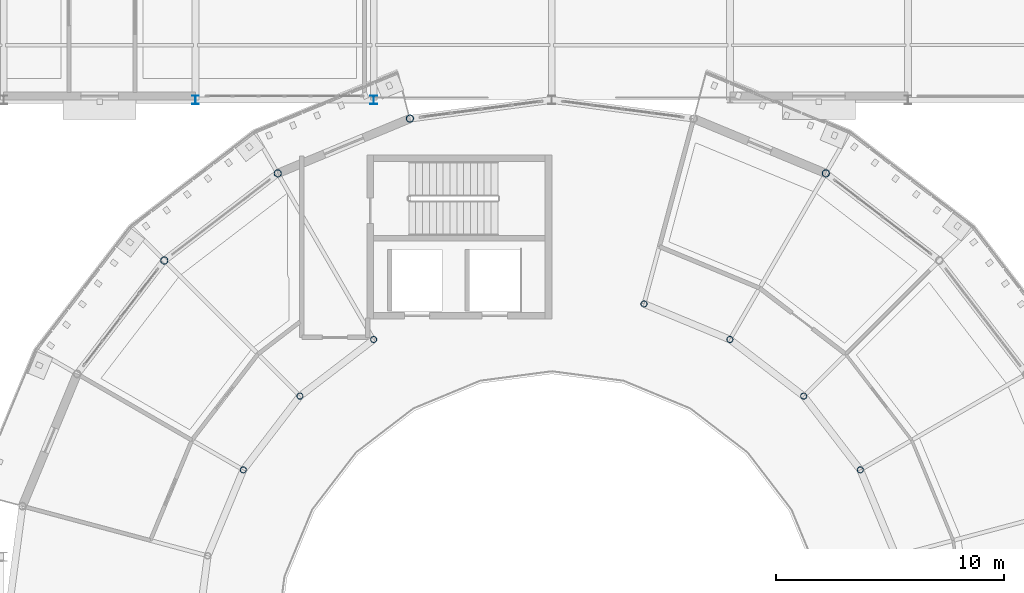
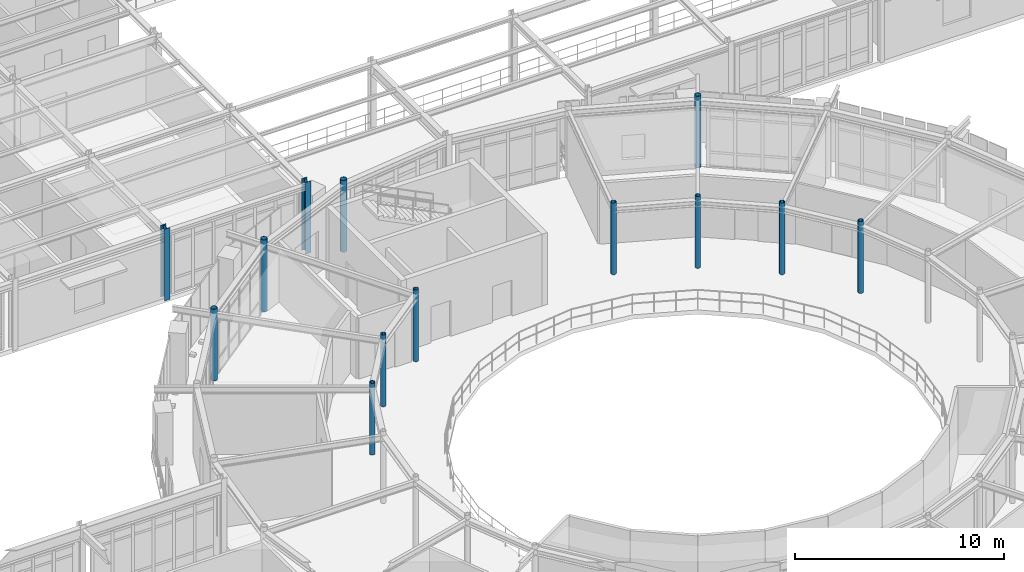
# One storey, part 16 of 90: 13 columns.
"""IFC4 building model written with IfcOpenShell, lengths in metres."""

from ifc_helpers import new_model, si_unit, derived_unit, direction, frame, origin, origin_2d, place, context, subcontext, project, spatial, hollow_circle, i_section, extrude, material, material_profile, profile_set, type_object, element, save


model = new_model("IFC4")

# Units and contexts
model_context = context("Model", 3, precision=1e-05, world=origin(), true_north=direction((0.0, 1.0)))
body_context = subcontext(model_context, "Body", "Model", "MODEL_VIEW")
ifc_project = project(units=[si_unit("LENGTHUNIT", "METRE"), si_unit("AREAUNIT", "SQUARE_METRE"), si_unit("VOLUMEUNIT", "CUBIC_METRE"), si_unit("PLANEANGLEUNIT", "RADIAN"), si_unit("MASSUNIT", "GRAM", prefix="KILO"), derived_unit("THERMALTRANSMITTANCEUNIT", [(si_unit("POWERUNIT", "WATT"), 1), (si_unit("AREAUNIT", "SQUARE_METRE"), -1), (si_unit("THERMODYNAMICTEMPERATUREUNIT", "KELVIN"), -1)])], contexts=[model_context])

# Site, building, storey
site_placement = place(None, origin())
site = spatial("IfcSite", under=ifc_project, at=site_placement, CompositionType="ELEMENT")
building_placement = place(site_placement, origin())
building = spatial("IfcBuilding", under=site, at=building_placement, Name="Yasenodar Specialist Clinic", CompositionType="ELEMENT")
storey_placement = place(building_placement, frame((0.0, 0.0, 9.0)))
storey = spatial("IfcBuildingStorey", under=building, at=storey_placement, Name="L02", CompositionType="ELEMENT", Elevation=9.0)

# Columns
ifc_material = material(Name="Steel S355", Category="steel")
ifc_material_profile_1 = material_profile(ifc_material, hollow_circle(Radius=0.136474609375, WallThickness=0.012451171875, at=origin_2d()), Name="CHS 273x12.5")
ifc_profile_set_1 = profile_set([ifc_material_profile_1], Name="Steel S355")
column_type_1 = type_object("IfcColumnType", Name="COL-ST-CHS273", PredefinedType="COLUMN", material=ifc_profile_set_1)
for number, where, z_axis, x_axis, name in (
    (1, (94.510009765625, 66.60009765625, 0.0), (0.0, 0.0, 1.0), (1.0, 0.0, 0.0), "L02 Drum V1 Inner Column 03"),
    (2, (92.031005859375, 69.830810546875, 0.0), (0.0, 0.0, 1.0), (1.0, 0.0, 0.0), "L02 Drum V1 Inner Column 04"),
    (3, (88.800048828125, 72.31005859375, 0.0), (0.0, 0.0, 1.0), (1.0, 0.0, 0.0), "L02 Drum V1 Inner Column 05"),
    (4, (85.03759765625, 73.868408203125, 0.0), (0.0, 0.0, 1.0), (1.0, 0.0, 0.0), "L02 Drum V1 Inner Column 06"),
    (5, (73.199951171875, 72.31005859375, 0.0), (0.0, 0.0, 1.0), (1.0, 0.0, 0.0), "L02 Drum V1 Inner Column 09"),
    (6, (69.968994140625, 69.830810546875, 0.0), (0.0, 0.0, 1.0), (1.0, 0.0, 0.0), "L02 Drum V1 Inner Column 10"),
    (7, (67.489990234375, 66.60009765625, 0.0), (0.0, 0.0, 1.0), (1.0, 0.0, 0.0), "L02 Drum V1 Inner Column 11"),
):
    element("IfcColumn", number, at=place(storey_placement, frame(where, z_axis=z_axis, x_axis=x_axis)), inside=storey, type_object=column_type_1, Name=name, PredefinedType="COLUMN", context=body_context, shape_type="SweptSolid", body=[
        extrude(hollow_circle(Radius=0.136474609375, WallThickness=0.012451171875, at=origin_2d()), origin(), (0.0, 0.0, 1.0), 4.199951171875),
    ])
ifc_material_profile_2 = material_profile(ifc_material, hollow_circle(Radius=0.161865234375, WallThickness=0.01611328125, at=origin_2d()), Name="CHS 323.9x16")
ifc_profile_set_2 = profile_set([ifc_material_profile_2], Name="Steel S355")
column_type_2 = type_object("IfcColumnType", Name="COL-ST-CHS324", PredefinedType="COLUMN", material=ifc_profile_set_2)
for number, where, z_axis, x_axis, name in (
    (8, (93.0, 79.584716796875, 0.0), (0.0, 0.0, 1.0), (1.0, 0.0, 0.0), "L02 Drum V1 Outer Column 05"),
    (9, (74.788330078125, 81.982177734375, 0.0), (0.0, 0.0, 1.0), (1.0, 0.0, 0.0), "L02 Drum V1 Outer Column 08"),
    (10, (69.0, 79.584716796875, 0.0), (0.0, 0.0, 1.0), (1.0, 0.0, 0.0), "L02 Drum V1 Outer Column 09"),
    (11, (64.029296875, 75.7705078125, 0.0), (0.0, 0.0, 1.0), (1.0, 0.0, 0.0), "L02 Drum V1 Outer Column 10"),
):
    element("IfcColumn", number, at=place(storey_placement, frame(where, z_axis=z_axis, x_axis=x_axis)), inside=storey, type_object=column_type_2, Name=name, PredefinedType="COLUMN", context=body_context, shape_type="SweptSolid", body=[
        extrude(hollow_circle(Radius=0.161865234375, WallThickness=0.01611328125, at=origin_2d()), origin(), (0.0, 0.0, 1.0), 4.199951171875),
    ])
ifc_material_profile_3 = material_profile(ifc_material, i_section(OverallWidth=0.300048828125, OverallDepth=0.389892578125, WebThickness=0.010986328125, FlangeThickness=0.01904296875, FilletRadius=0.027099609375, at=origin_2d()), Name="HEA 400")
ifc_profile_set_3 = profile_set([ifc_material_profile_3], Name="Steel S355")
column_type_3 = type_object("IfcColumnType", Name="COL-ST-HEA400", PredefinedType="COLUMN", material=ifc_profile_set_3)
for number, where, z_axis, x_axis, name in (
    (12, (65.39990234375, 82.800048828125, 0.0), (0.0, 0.0, 1.0), (1.0, 0.0, 0.0), "L02 Column V5-093"),
    (13, (73.199951171875, 82.800048828125, 0.0), (0.0, 0.0, 1.0), (1.0, 0.0, 0.0), "L02 Column V5-098"),
):
    element("IfcColumn", number, at=place(storey_placement, frame(where, z_axis=z_axis, x_axis=x_axis)), inside=storey, type_object=column_type_3, Name=name, PredefinedType="COLUMN", context=body_context, shape_type="SweptSolid", body=[
        extrude(i_section(OverallWidth=0.300048828125, OverallDepth=0.389892578125, WebThickness=0.010986328125, FlangeThickness=0.01904296875, FilletRadius=0.027099609375, at=origin_2d()), origin(), (0.0, 0.0, 1.0), 4.199951171875),
    ])

save(model, "model.ifc")
